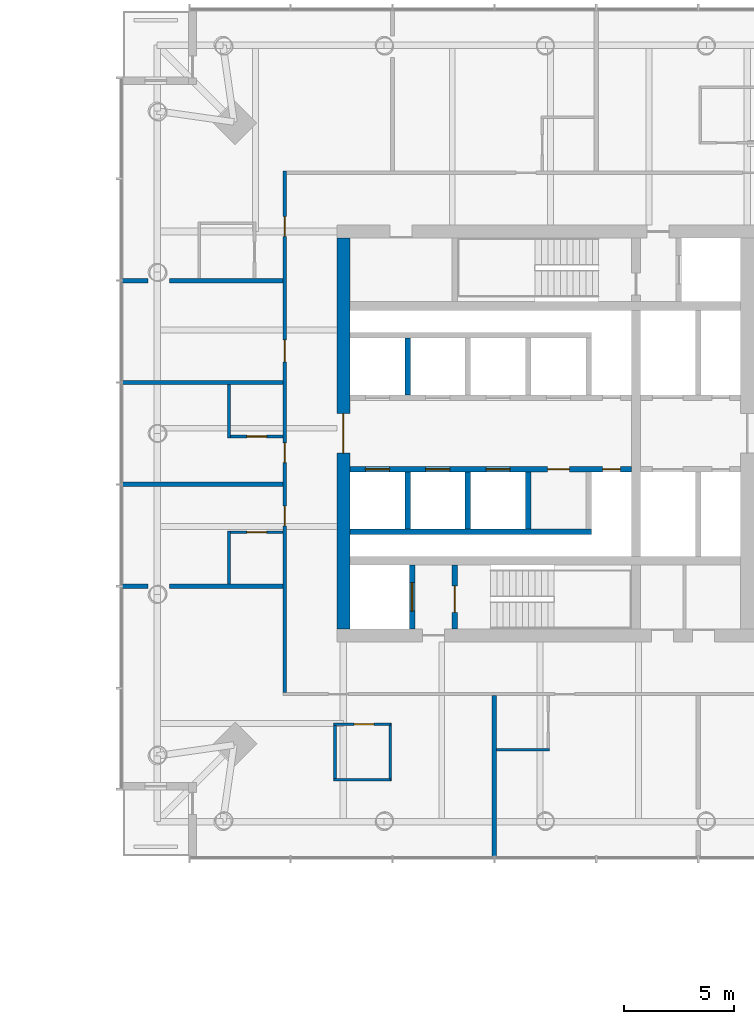
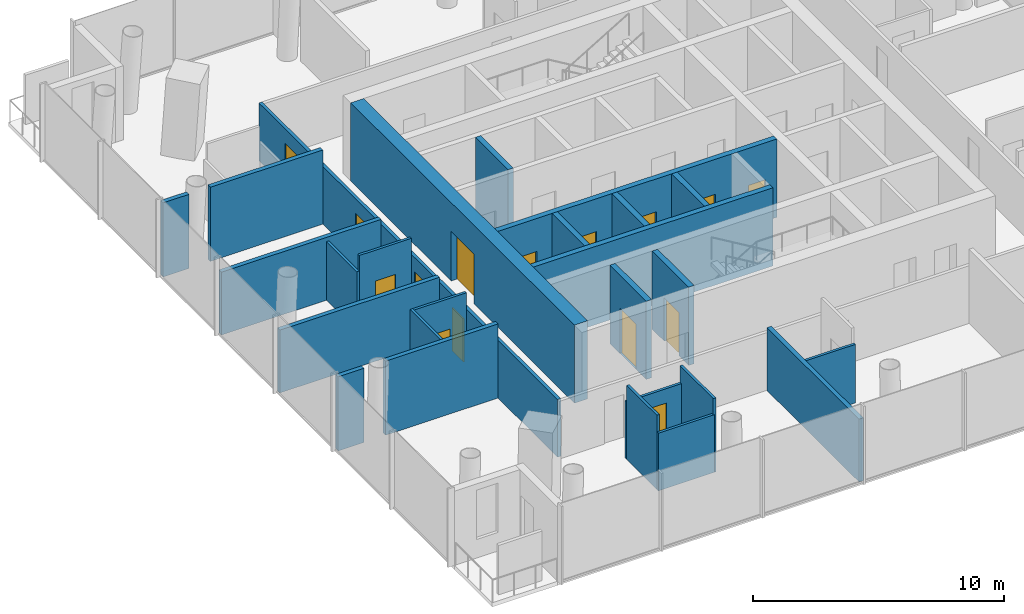
# One storey, part 13 of 26: 26 walls, 15 doors, 15 openings.
"""IFC4 building model written with IfcOpenShell, lengths in metres."""

from ifc_helpers import new_model, si_unit, direction, frame, frame_2d, origin, place, context, subcontext, project, spatial, rectangle, extrude, material, layer, layer_set, type_object, element, fill, save


model = new_model("IFC4")

# Units and contexts
model_context = context("Model", 3, precision=1e-05, world=origin(), true_north=direction((0.0, 1.0)))
body_context = subcontext(model_context, "Body", "Model", "MODEL_VIEW")
ifc_project = project(units=[si_unit("LENGTHUNIT", "METRE"), si_unit("AREAUNIT", "SQUARE_METRE"), si_unit("VOLUMEUNIT", "CUBIC_METRE"), si_unit("PLANEANGLEUNIT", "RADIAN"), si_unit("MASSUNIT", "GRAM", prefix="KILO")], contexts=[model_context])

# Site, building, storey
site_placement = place(None, origin())
site = spatial("IfcSite", under=ifc_project, at=site_placement, CompositionType="ELEMENT")
building_placement = place(site_placement, origin())
building = spatial("IfcBuilding", under=site, at=building_placement, Name="Ostroluk Exchange", CompositionType="ELEMENT")
storey_placement = place(building_placement, frame((0.0, 0.0, 51.39990234375)))
storey = spatial("IfcBuildingStorey", under=building, at=storey_placement, Name="L12", CompositionType="ELEMENT", Elevation=51.39990234375)

# Wall, opening, door
ifc_material_1 = material(Name="Concrete C40/50", Category="concrete")
ifc_layer_1 = layer(ifc_material_1, 0.25)
ifc_layer_set_1 = layer_set([ifc_layer_1], Name="Core shaft wall 250")
wall_type_1 = type_object("IfcWallType", Name="Core shaft wall 250", PredefinedType="SHEAR", material=ifc_layer_set_1)
wall_1_placement = place(storey_placement, frame((110.925048828125, 37.10009765625, 0.0), z_axis=(0.0, 0.0, 1.0), x_axis=(0.0, 1.0, 0.0)))
wall_1 = element("IfcWall", 1, at=wall_1_placement, inside=storey, type_object=wall_type_1, Name="Firefighting lift shaft wall", PredefinedType="SHEAR", context=body_context, shape_type="SweptSolid", body=[
    extrude(rectangle(XDim=2.89990234375, YDim=0.25, at=frame_2d((1.449951171875, 0.0))), origin(), (0.0, 0.0, 1.0), 3.800048828125),
])
opening_1_placement = place(wall_1_placement, frame((0.800048828125, 0.0, 0.0)))
opening_1 = element("IfcOpeningElement", 2, at=opening_1_placement, cuts=wall_1, Name="Opening LD2", PredefinedType="OPENING", context=body_context, shape_type="SweptSolid", body=[
    extrude(rectangle(XDim=1.300048828125, YDim=2.199951171875, at=frame_2d((0.64990234375, 1.10009765625))), frame((0.0, 0.135009765625, 0.0), z_axis=(0.0, -1.0, 0.0), x_axis=(1.0, 0.0, 0.0)), (0.0, 0.0, 1.0), 0.27001953125),
])
ifc_material_2 = material(Name="Stainless steel", Category="steel")
door_type_1 = type_object("IfcDoorType", Name="Lift landing door E 60 1300 x 2200", OperationType="DOUBLE_DOOR_SLIDING", PredefinedType="DOOR", material=ifc_material_2)
door_1_placement = place(opening_1_placement, origin())
door_1 = element("IfcDoor", 3, at=door_1_placement, inside=storey, type_object=door_type_1, Name="Lift HF1 landing door", OperationType="DOUBLE_DOOR_SLIDING", OverallHeight=2.199951171875, OverallWidth=1.300048828125, PredefinedType="DOOR", context=body_context, shape_type="SweptSolid", body=[
    extrude(rectangle(XDim=1.300048828125, YDim=2.199951171875, at=frame_2d((0.64990234375, 1.10009765625))), frame((0.0, 0.02490234375, 0.0), z_axis=(0.0, -1.0, 0.0), x_axis=(1.0, 0.0, 0.0)), (0.0, 0.0, 1.0), 0.050048828125),
])
fill(opening_1, door_1)

wall_2_placement = place(storey_placement, frame((112.875, 37.10009765625, 0.0), z_axis=(0.0, 0.0, 1.0), x_axis=(0.0, 1.0, 0.0)))
wall_2 = element("IfcWall", 4, at=wall_2_placement, inside=storey, type_object=wall_type_1, Name="Stair shaft wall", PredefinedType="SHEAR", context=body_context, shape_type="SweptSolid", body=[
    extrude(rectangle(XDim=2.89990234375, YDim=0.25, at=frame_2d((1.449951171875, 0.0))), origin(), (0.0, 0.0, 1.0), 3.800048828125),
])
opening_2_placement = place(wall_2_placement, frame((0.75, 0.0, 0.0)))
opening_2 = element("IfcOpeningElement", 5, at=opening_2_placement, cuts=wall_2, Name="Opening FD60S", PredefinedType="OPENING", context=body_context, shape_type="SweptSolid", body=[
    extrude(rectangle(XDim=1.199951171875, YDim=2.10009765625, at=frame_2d((0.60009765625, 1.050048828125))), frame((0.0, 0.135009765625, 0.0), z_axis=(0.0, -1.0, 0.0), x_axis=(1.0, 0.0, 0.0)), (0.0, 0.0, 1.0), 0.27001953125),
])
ifc_material_3 = material(Name="Steel", Category="steel")
door_type_2 = type_object("IfcDoorType", Name="Stair door EI 60 1200 x 2100", OperationType="SINGLE_SWING_LEFT", PredefinedType="DOOR", material=ifc_material_3)
door_2_placement = place(opening_2_placement, origin())
door_2 = element("IfcDoor", 6, at=door_2_placement, inside=storey, type_object=door_type_2, Name="Stair T2-S1 door", OperationType="SINGLE_SWING_LEFT", OverallHeight=2.10009765625, OverallWidth=1.199951171875, PredefinedType="DOOR", context=body_context, shape_type="SweptSolid", body=[
    extrude(rectangle(XDim=1.199951171875, YDim=2.10009765625, at=frame_2d((0.60009765625, 1.050048828125))), frame((0.0, 0.02490234375, 0.0), z_axis=(0.0, -1.0, 0.0), x_axis=(1.0, 0.0, 0.0)), (0.0, 0.0, 1.0), 0.050048828125),
])
fill(opening_2, door_2)

# Walls
for number, where, z_axis, x_axis, name in (
    (7, (110.72509765625, 47.75, 0.0), (0.0, 0.0, 1.0), (0.0, 1.0, 0.0), "Lift shaft wall"),
    (8, (110.72509765625, 44.25, 0.0), (0.0, 0.0, 1.0), (0.0, -1.0, 0.0), "Lift shaft wall"),
    (9, (113.47509765625, 44.25, 0.0), (0.0, 0.0, 1.0), (0.0, -1.0, 0.0), "Lift shaft wall"),
    (10, (116.22509765625, 44.25, 0.0), (0.0, 0.0, 1.0), (0.0, -1.0, 0.0), "Lift shaft wall"),
):
    element("IfcWall", number, at=place(storey_placement, frame(where, z_axis=z_axis, x_axis=x_axis)), inside=storey, type_object=wall_type_1, Name=name, PredefinedType="SHEAR", context=body_context, shape_type="SweptSolid", body=[
        extrude(rectangle(XDim=2.60009765625, YDim=0.25, at=frame_2d((1.300048828125, 0.0))), origin(), (0.0, 0.0, 1.0), 3.800048828125),
    ])
wall_3_placement = place(storey_placement, frame((108.10009765625, 41.52490234375, 0.0), z_axis=(0.0, 0.0, 1.0), x_axis=(1.0, 0.0, 0.0)))
element("IfcWall", 11, at=wall_3_placement, inside=storey, type_object=wall_type_1, Name="Lift shaft wall", PredefinedType="SHEAR", context=body_context, shape_type="SweptSolid", body=[
    extrude(rectangle(XDim=11.0, YDim=0.25, at=frame_2d((5.5, 0.0))), origin(), (0.0, 0.0, 1.0), 3.800048828125),
])

# Wall, openings, doors
wall_4_placement = place(storey_placement, frame((108.10009765625, 44.375, 0.0), z_axis=(0.0, 0.0, 1.0), x_axis=(1.0, 0.0, 0.0)))
wall_4 = element("IfcWall", 12, at=wall_4_placement, inside=storey, type_object=wall_type_1, Name="Lift shaft front wall", PredefinedType="SHEAR", context=body_context, shape_type="SweptSolid", body=[
    extrude(rectangle(XDim=12.829833984375, YDim=0.25, at=frame_2d((6.4150390625, 0.0))), origin(), (0.0, 0.0, 1.0), 3.800048828125),
])
opening_3_placement = place(wall_4_placement, frame((0.699951171875, 0.0, 0.0)))
opening_3 = element("IfcOpeningElement", 13, at=opening_3_placement, cuts=wall_4, Name="Opening LD", PredefinedType="OPENING", context=body_context, shape_type="SweptSolid", body=[
    extrude(rectangle(XDim=1.10009765625, YDim=2.199951171875, at=frame_2d((0.550048828125, 1.10009765625))), frame((0.0, 0.135009765625, 0.0), z_axis=(0.0, -1.0, 0.0), x_axis=(1.0, 0.0, 0.0)), (0.0, 0.0, 1.0), 0.27001953125),
])
opening_4_placement = place(wall_4_placement, frame((3.449951171875, 0.0, 0.0)))
opening_4 = element("IfcOpeningElement", 14, at=opening_4_placement, cuts=wall_4, Name="Opening LD", PredefinedType="OPENING", context=body_context, shape_type="SweptSolid", body=[
    extrude(rectangle(XDim=1.10009765625, YDim=2.199951171875, at=frame_2d((0.550048828125, 1.10009765625))), frame((0.0, 0.135009765625, 0.0), z_axis=(0.0, -1.0, 0.0), x_axis=(1.0, 0.0, 0.0)), (0.0, 0.0, 1.0), 0.27001953125),
])
opening_5_placement = place(wall_4_placement, frame((6.199951171875, 0.0, 0.0)))
opening_5 = element("IfcOpeningElement", 15, at=opening_5_placement, cuts=wall_4, Name="Opening LD", PredefinedType="OPENING", context=body_context, shape_type="SweptSolid", body=[
    extrude(rectangle(XDim=1.10009765625, YDim=2.199951171875, at=frame_2d((0.550048828125, 1.10009765625))), frame((0.0, 0.135009765625, 0.0), z_axis=(0.0, -1.0, 0.0), x_axis=(1.0, 0.0, 0.0)), (0.0, 0.0, 1.0), 0.27001953125),
])
opening_6_placement = place(wall_4_placement, frame((9.0, 0.0, 0.0)))
opening_6 = element("IfcOpeningElement", 16, at=opening_6_placement, cuts=wall_4, Name="Opening FD60", PredefinedType="OPENING", context=body_context, shape_type="SweptSolid", body=[
    extrude(rectangle(XDim=1.0, YDim=2.10009765625, at=frame_2d((0.5, 1.050048828125))), frame((0.0, 0.135009765625, 0.0), z_axis=(0.0, -1.0, 0.0), x_axis=(1.0, 0.0, 0.0)), (0.0, 0.0, 1.0), 0.27001953125),
])
opening_7_placement = place(wall_4_placement, frame((11.514892578125, 0.0, 0.0)))
opening_7 = element("IfcOpeningElement", 17, at=opening_7_placement, cuts=wall_4, Name="Opening RD60", PredefinedType="OPENING", context=body_context, shape_type="SweptSolid", body=[
    extrude(rectangle(XDim=0.800048828125, YDim=2.0, at=frame_2d((0.39990234375, 1.0))), frame((0.0, 0.135009765625, 0.0), z_axis=(0.0, -1.0, 0.0), x_axis=(1.0, 0.0, 0.0)), (0.0, 0.0, 1.0), 0.27001953125),
])
ifc_material_4 = material(Name="Steel", Category="steel")
door_type_3 = type_object("IfcDoorType", Name="Fire door EI 60 1000 x 2100", OperationType="SINGLE_SWING_LEFT", PredefinedType="DOOR", material=ifc_material_4)
door_3_placement = place(opening_6_placement, origin())
door_3 = element("IfcDoor", 18, at=door_3_placement, inside=storey, type_object=door_type_3, Name="Core room door", OperationType="SINGLE_SWING_RIGHT", OverallHeight=2.10009765625, OverallWidth=1.0, PredefinedType="DOOR", context=body_context, shape_type="SweptSolid", body=[
    extrude(rectangle(XDim=1.0, YDim=2.10009765625, at=frame_2d((0.5, 1.050048828125))), frame((0.0, 0.02490234375, 0.0), z_axis=(0.0, -1.0, 0.0), x_axis=(1.0, 0.0, 0.0)), (0.0, 0.0, 1.0), 0.050048828125),
])
fill(opening_6, door_3)
ifc_material_5 = material(Name="Stainless steel", Category="steel")
door_type_4 = type_object("IfcDoorType", Name="Lift landing door E 60 1100 x 2200", OperationType="DOUBLE_DOOR_SLIDING", PredefinedType="DOOR", material=ifc_material_5)
door_4_placement = place(opening_3_placement, origin())
door_4 = element("IfcDoor", 19, at=door_4_placement, inside=storey, type_object=door_type_4, Name="Lift HL5 landing door", OperationType="DOUBLE_DOOR_SLIDING", OverallHeight=2.199951171875, OverallWidth=1.10009765625, PredefinedType="DOOR", context=body_context, shape_type="SweptSolid", body=[
    extrude(rectangle(XDim=1.10009765625, YDim=2.199951171875, at=frame_2d((0.550048828125, 1.10009765625))), frame((0.0, 0.02490234375, 0.0), z_axis=(0.0, -1.0, 0.0), x_axis=(1.0, 0.0, 0.0)), (0.0, 0.0, 1.0), 0.050048828125),
])
fill(opening_3, door_4)
door_5_placement = place(opening_4_placement, origin())
door_5 = element("IfcDoor", 20, at=door_5_placement, inside=storey, type_object=door_type_4, Name="Lift HL6 landing door", OperationType="DOUBLE_DOOR_SLIDING", OverallHeight=2.199951171875, OverallWidth=1.10009765625, PredefinedType="DOOR", context=body_context, shape_type="SweptSolid", body=[
    extrude(rectangle(XDim=1.10009765625, YDim=2.199951171875, at=frame_2d((0.550048828125, 1.10009765625))), frame((0.0, 0.02490234375, 0.0), z_axis=(0.0, -1.0, 0.0), x_axis=(1.0, 0.0, 0.0)), (0.0, 0.0, 1.0), 0.050048828125),
])
fill(opening_4, door_5)
door_6_placement = place(opening_5_placement, origin())
door_6 = element("IfcDoor", 21, at=door_6_placement, inside=storey, type_object=door_type_4, Name="Lift HL7 landing door", OperationType="DOUBLE_DOOR_SLIDING", OverallHeight=2.199951171875, OverallWidth=1.10009765625, PredefinedType="DOOR", context=body_context, shape_type="SweptSolid", body=[
    extrude(rectangle(XDim=1.10009765625, YDim=2.199951171875, at=frame_2d((0.550048828125, 1.10009765625))), frame((0.0, 0.02490234375, 0.0), z_axis=(0.0, -1.0, 0.0), x_axis=(1.0, 0.0, 0.0)), (0.0, 0.0, 1.0), 0.050048828125),
])
fill(opening_5, door_6)
ifc_material_6 = material(Name="Steel", Category="steel")
door_type_5 = type_object("IfcDoorType", Name="Riser access door EI 60 800 x 2000", OperationType="SINGLE_SWING_LEFT", PredefinedType="DOOR", material=ifc_material_6)
door_7_placement = place(opening_7_placement, origin())
door_7 = element("IfcDoor", 22, at=door_7_placement, inside=storey, type_object=door_type_5, Name="Riser access door", OperationType="SINGLE_SWING_RIGHT", OverallHeight=2.0, OverallWidth=0.800048828125, PredefinedType="DOOR", context=body_context, shape_type="SweptSolid", body=[
    extrude(rectangle(XDim=0.800048828125, YDim=2.0, at=frame_2d((0.39990234375, 1.0))), frame((0.0, 0.02490234375, 0.0), z_axis=(0.0, -1.0, 0.0), x_axis=(1.0, 0.0, 0.0)), (0.0, 0.0, 1.0), 0.050048828125),
])
fill(opening_7, door_7)

# Wall, opening, door
ifc_material_7 = material(Name="Concrete C50/60", Category="concrete")
ifc_layer_2 = layer(ifc_material_7, 0.60009765625)
ifc_layer_set_2 = layer_set([ifc_layer_2], Name="Core wall 600 C50/60")
wall_type_2 = type_object("IfcWallType", Name="Core wall 600 C50/60", PredefinedType="SHEAR", material=ifc_layer_set_2)
wall_5_placement = place(storey_placement, frame((107.800048828125, 37.10009765625, 0.0), z_axis=(0.0, 0.0, 1.0), x_axis=(0.0, 1.0, 0.0)))
wall_5 = element("IfcWall", 23, at=wall_5_placement, inside=storey, type_object=wall_type_2, Name="T2 core wall W", PredefinedType="SHEAR", context=body_context, shape_type="SweptSolid", body=[
    extrude(rectangle(XDim=17.7998046875, YDim=0.60009765625, at=frame_2d((8.89990234375, 0.0))), origin(), (0.0, 0.0, 1.0), 3.800048828125),
])
opening_8_placement = place(wall_5_placement, frame((8.0, 0.0, 0.0)))
opening_8 = element("IfcOpeningElement", 24, at=opening_8_placement, cuts=wall_5, Name="Opening FD30D", PredefinedType="OPENING", context=body_context, shape_type="SweptSolid", body=[
    extrude(rectangle(XDim=1.800048828125, YDim=2.39990234375, at=frame_2d((0.89990234375, 1.199951171875))), frame((0.0, 0.31005859375, 0.0), z_axis=(0.0, -1.0, 0.0), x_axis=(1.0, 0.0, 0.0)), (0.0, 0.0, 1.0), 0.6201171875),
])
ifc_material_8 = material(Name="Timber", Category="wood")
door_type_6 = type_object("IfcDoorType", Name="Lobby double door EI 30 1800 x 2400", OperationType="DOUBLE_DOOR_SINGLE_SWING", PredefinedType="DOOR", material=ifc_material_8)
door_8_placement = place(opening_8_placement, origin())
door_8 = element("IfcDoor", 25, at=door_8_placement, inside=storey, type_object=door_type_6, Name="Lift lobby doors", OperationType="DOUBLE_DOOR_SINGLE_SWING", OverallHeight=2.39990234375, OverallWidth=1.800048828125, PredefinedType="DOOR", context=body_context, shape_type="SweptSolid", body=[
    extrude(rectangle(XDim=1.800048828125, YDim=2.39990234375, at=frame_2d((0.89990234375, 1.199951171875))), frame((0.0, 0.02490234375, 0.0), z_axis=(0.0, -1.0, 0.0), x_axis=(1.0, 0.0, 0.0)), (0.0, 0.0, 1.0), 0.050048828125),
])
fill(opening_8, door_8)

# Wall
ifc_material_9 = material(Name="Gypsum plasterboard partition, moisture resistant", Category="gypsum")
ifc_layer_3 = layer(ifc_material_9, 0.1201171875)
ifc_layer_set_3 = layer_set([ifc_layer_3], Name="Plasterboard en-suite wall 120")
wall_type_3 = type_object("IfcWallType", Name="Plasterboard en-suite wall 120", PredefinedType="PARTITIONING", material=ifc_layer_set_3)
wall_6_placement = place(storey_placement, frame((102.590087890625, 48.221435546875, 0.0), z_axis=(0.0, 0.0, 1.0), x_axis=(0.0, -1.0, 0.0)))
element("IfcWall", 26, at=wall_6_placement, inside=storey, type_object=wall_type_3, Name="En-suite wall", PredefinedType="PARTITIONING", context=body_context, shape_type="SweptSolid", body=[
    extrude(rectangle(XDim=2.419921875, YDim=0.1201171875, at=frame_2d((1.2099609375, 0.0))), origin(), (0.0, 0.0, 1.0), 2.84716796875),
])

# Wall, opening, door
wall_7_placement = place(storey_placement, frame((105.050048828125, 45.861328125, 0.0), z_axis=(0.0, 0.0, 1.0), x_axis=(-1.0, 0.0, 0.0)))
wall_7 = element("IfcWall", 27, at=wall_7_placement, inside=storey, type_object=wall_type_3, Name="En-suite wall", PredefinedType="PARTITIONING", context=body_context, shape_type="SweptSolid", body=[
    extrude(rectangle(XDim=2.400146484375, YDim=0.1201171875, at=frame_2d((1.2001953125, 0.0))), origin(), (0.0, 0.0, 1.0), 3.60009765625),
])
opening_9_placement = place(wall_7_placement, frame((0.75, 0.0, 0.0)))
opening_9 = element("IfcOpeningElement", 28, at=opening_9_placement, cuts=wall_7, Name="Opening D-02", PredefinedType="OPENING", context=body_context, shape_type="SweptSolid", body=[
    extrude(rectangle(XDim=0.89990234375, YDim=2.10009765625, at=frame_2d((0.449951171875, 1.050048828125))), frame((0.0, 0.070068359375, 0.0), z_axis=(0.0, -1.0, 0.0), x_axis=(1.0, 0.0, 0.0)), (0.0, 0.0, 1.0), 0.14013671875),
])
ifc_material_10 = material(Name="Timber", Category="wood")
door_type_7 = type_object("IfcDoorType", Name="En-suite door 900 x 2100", OperationType="SINGLE_SWING_LEFT", PredefinedType="DOOR", material=ifc_material_10)
door_9_placement = place(opening_9_placement, origin())
door_9 = element("IfcDoor", 29, at=door_9_placement, inside=storey, type_object=door_type_7, Name="En-suite door 1207", OperationType="SINGLE_SWING_RIGHT", OverallHeight=2.10009765625, OverallWidth=0.89990234375, PredefinedType="DOOR", context=body_context, shape_type="SweptSolid", body=[
    extrude(rectangle(XDim=0.89990234375, YDim=2.10009765625, at=frame_2d((0.449951171875, 1.050048828125))), frame((0.0, 0.02490234375, 0.0), z_axis=(0.0, -1.0, 0.0), x_axis=(1.0, 0.0, 0.0)), (0.0, 0.0, 1.0), 0.050048828125),
])
fill(opening_9, door_9)

# Wall
wall_8_placement = place(storey_placement, frame((102.590087890625, 41.5556640625, 0.0), z_axis=(0.0, 0.0, 1.0), x_axis=(0.0, -1.0, 0.0)))
element("IfcWall", 30, at=wall_8_placement, inside=storey, type_object=wall_type_3, Name="En-suite wall", PredefinedType="PARTITIONING", context=body_context, shape_type="SweptSolid", body=[
    extrude(rectangle(XDim=2.419921875, YDim=0.1201171875, at=frame_2d((1.2099609375, 0.0))), origin(), (0.0, 0.0, 1.0), 3.60009765625),
])

# Wall, opening, door
wall_9_placement = place(storey_placement, frame((105.050048828125, 41.49560546875, 0.0), z_axis=(0.0, 0.0, 1.0), x_axis=(-1.0, 0.0, 0.0)))
wall_9 = element("IfcWall", 31, at=wall_9_placement, inside=storey, type_object=wall_type_3, Name="En-suite wall", PredefinedType="PARTITIONING", context=body_context, shape_type="SweptSolid", body=[
    extrude(rectangle(XDim=2.400146484375, YDim=0.1201171875, at=frame_2d((1.2001953125, 0.0))), origin(), (0.0, 0.0, 1.0), 3.60009765625),
])
opening_10_placement = place(wall_9_placement, frame((0.75, 0.0, 0.0)))
opening_10 = element("IfcOpeningElement", 32, at=opening_10_placement, cuts=wall_9, Name="Opening D-02", PredefinedType="OPENING", context=body_context, shape_type="SweptSolid", body=[
    extrude(rectangle(XDim=0.89990234375, YDim=2.10009765625, at=frame_2d((0.449951171875, 1.050048828125))), frame((0.0, 0.070068359375, 0.0), z_axis=(0.0, -1.0, 0.0), x_axis=(1.0, 0.0, 0.0)), (0.0, 0.0, 1.0), 0.14013671875),
])
door_10_placement = place(opening_10_placement, origin())
door_10 = element("IfcDoor", 33, at=door_10_placement, inside=storey, type_object=door_type_7, Name="En-suite door 1208", OperationType="SINGLE_SWING_RIGHT", OverallHeight=2.10009765625, OverallWidth=0.89990234375, PredefinedType="DOOR", context=body_context, shape_type="SweptSolid", body=[
    extrude(rectangle(XDim=0.89990234375, YDim=2.10009765625, at=frame_2d((0.449951171875, 1.050048828125))), frame((0.0, 0.02490234375, 0.0), z_axis=(0.0, -1.0, 0.0), x_axis=(1.0, 0.0, 0.0)), (0.0, 0.0, 1.0), 0.050048828125),
])
fill(opening_10, door_10)

wall_10_placement = place(storey_placement, frame((109.935791015625, 32.75, 0.0), z_axis=(0.0, 0.0, 1.0), x_axis=(-1.0, 0.0, 0.0)))
wall_10 = element("IfcWall", 34, at=wall_10_placement, inside=storey, type_object=wall_type_3, Name="En-suite wall", PredefinedType="PARTITIONING", context=body_context, shape_type="SweptSolid", body=[
    extrude(rectangle(XDim=2.580078125, YDim=0.1201171875, at=frame_2d((1.2900390625, 0.0))), origin(), (0.0, 0.0, 1.0), 2.800048828125),
])
opening_11_placement = place(wall_10_placement, frame((0.75, 0.0, 0.0)))
opening_11 = element("IfcOpeningElement", 35, at=opening_11_placement, cuts=wall_10, Name="Opening D-02", PredefinedType="OPENING", context=body_context, shape_type="SweptSolid", body=[
    extrude(rectangle(XDim=0.89990234375, YDim=2.10009765625, at=frame_2d((0.449951171875, 1.050048828125))), frame((0.0, 0.070068359375, 0.0), z_axis=(0.0, -1.0, 0.0), x_axis=(1.0, 0.0, 0.0)), (0.0, 0.0, 1.0), 0.14013671875),
])
door_11_placement = place(opening_11_placement, origin())
door_11 = element("IfcDoor", 36, at=door_11_placement, inside=storey, type_object=door_type_7, Name="En-suite door 1209", OperationType="SINGLE_SWING_LEFT", OverallHeight=2.10009765625, OverallWidth=0.89990234375, PredefinedType="DOOR", context=body_context, shape_type="SweptSolid", body=[
    extrude(rectangle(XDim=0.89990234375, YDim=2.10009765625, at=frame_2d((0.449951171875, 1.050048828125))), frame((0.0, 0.02490234375, 0.0), z_axis=(0.0, -1.0, 0.0), x_axis=(1.0, 0.0, 0.0)), (0.0, 0.0, 1.0), 0.050048828125),
])
fill(opening_11, door_11)

# Walls
wall_11_placement = place(storey_placement, frame((109.935791015625, 30.22998046875, 0.0), z_axis=(0.0, 0.0, 1.0), x_axis=(-1.0, 0.0, 0.0)))
element("IfcWall", 37, at=wall_11_placement, inside=storey, type_object=wall_type_3, Name="En-suite wall", PredefinedType="PARTITIONING", context=body_context, shape_type="SweptSolid", body=[
    extrude(rectangle(XDim=2.580078125, YDim=0.1201171875, at=frame_2d((1.2900390625, 0.0))), origin(), (0.0, 0.0, 1.0), 2.800048828125),
])
wall_12_placement = place(storey_placement, frame((107.415771484375, 32.68994140625, 0.0), z_axis=(0.0, 0.0, 1.0), x_axis=(0.0, -1.0, 0.0)))
element("IfcWall", 38, at=wall_12_placement, inside=storey, type_object=wall_type_3, Name="En-suite wall", PredefinedType="PARTITIONING", context=body_context, shape_type="SweptSolid", body=[
    extrude(rectangle(XDim=2.39990234375, YDim=0.1201171875, at=frame_2d((1.199951171875, 0.0))), origin(), (0.0, 0.0, 1.0), 3.60009765625),
])
wall_13_placement = place(storey_placement, frame((109.935791015625, 32.81005859375, 0.0), z_axis=(0.0, 0.0, 1.0), x_axis=(0.0, -1.0, 0.0)))
element("IfcWall", 39, at=wall_13_placement, inside=storey, type_object=wall_type_3, Name="En-suite wall", PredefinedType="PARTITIONING", context=body_context, shape_type="SweptSolid", body=[
    extrude(rectangle(XDim=2.64013671875, YDim=0.1201171875, at=frame_2d((1.320068359375, 0.0))), origin(), (0.0, 0.0, 1.0), 3.60009765625),
])
wall_14_placement = place(storey_placement, frame((114.778564453125, 31.590087890625, 0.0), z_axis=(0.0, 0.0, 1.0), x_axis=(1.0, 0.0, 0.0)))
element("IfcWall", 40, at=wall_14_placement, inside=storey, type_object=wall_type_3, Name="En-suite wall", PredefinedType="PARTITIONING", context=body_context, shape_type="SweptSolid", body=[
    extrude(rectangle(XDim=2.419921875, YDim=0.1201171875, at=frame_2d((1.2099609375, 0.0))), origin(), (0.0, 0.0, 1.0), 2.84716796875),
])

# Wall, openings, doors
ifc_material_11 = material(Name="Gypsum plasterboard partition", Category="gypsum")
ifc_layer_4 = layer(ifc_material_11, 0.14990234375)
ifc_layer_set_4 = layer_set([ifc_layer_4], Name="Plasterboard partition 150")
wall_type_4 = type_object("IfcWallType", Name="Plasterboard partition 150", PredefinedType="PARTITIONING", material=ifc_layer_set_4)
wall_15_placement = place(storey_placement, frame((105.125, 57.949951171875, 0.0), z_axis=(0.0, 0.0, 1.0), x_axis=(0.0, -1.0, 0.0)))
wall_15 = element("IfcWall", 41, at=wall_15_placement, inside=storey, type_object=wall_type_4, Name="Corridor wall", PredefinedType="PARTITIONING", context=body_context, shape_type="SweptSolid", body=[
    extrude(rectangle(XDim=23.75, YDim=0.14990234375, at=frame_2d((11.875, 0.0))), origin(), (0.0, 0.0, 1.0), 2.800048828125),
])
opening_12_placement = place(wall_15_placement, frame((2.06787109375, 0.0, 0.0)))
opening_12 = element("IfcOpeningElement", 42, at=opening_12_placement, cuts=wall_15, Name="Opening D-01", PredefinedType="OPENING", context=body_context, shape_type="SweptSolid", body=[
    extrude(rectangle(XDim=0.89990234375, YDim=2.10009765625, at=frame_2d((0.449951171875, 1.050048828125))), frame((0.0, 0.0849609375, 0.0), z_axis=(0.0, -1.0, 0.0), x_axis=(1.0, 0.0, 0.0)), (0.0, 0.0, 1.0), 0.169921875),
])
opening_13_placement = place(wall_15_placement, frame((7.685791015625, 0.0, 0.0)))
opening_13 = element("IfcOpeningElement", 43, at=opening_13_placement, cuts=wall_15, Name="Opening D-03", PredefinedType="OPENING", context=body_context, shape_type="SweptSolid", body=[
    extrude(rectangle(XDim=1.0, YDim=2.10009765625, at=frame_2d((0.5, 1.050048828125))), frame((0.0, 0.0849609375, 0.0), z_axis=(0.0, -1.0, 0.0), x_axis=(1.0, 0.0, 0.0)), (0.0, 0.0, 1.0), 0.169921875),
])
opening_14_placement = place(wall_15_placement, frame((12.378662109375, 0.0, 0.0)))
opening_14 = element("IfcOpeningElement", 44, at=opening_14_placement, cuts=wall_15, Name="Opening D-01", PredefinedType="OPENING", context=body_context, shape_type="SweptSolid", body=[
    extrude(rectangle(XDim=0.89990234375, YDim=2.10009765625, at=frame_2d((0.449951171875, 1.050048828125))), frame((0.0, 0.0849609375, 0.0), z_axis=(0.0, -1.0, 0.0), x_axis=(1.0, 0.0, 0.0)), (0.0, 0.0, 1.0), 0.169921875),
])
opening_15_placement = place(wall_15_placement, frame((15.264404296875, 0.0, 0.0)))
opening_15 = element("IfcOpeningElement", 45, at=opening_15_placement, cuts=wall_15, Name="Opening D-01", PredefinedType="OPENING", context=body_context, shape_type="SweptSolid", body=[
    extrude(rectangle(XDim=0.89990234375, YDim=2.10009765625, at=frame_2d((0.449951171875, 1.050048828125))), frame((0.0, 0.0849609375, 0.0), z_axis=(0.0, -1.0, 0.0), x_axis=(1.0, 0.0, 0.0)), (0.0, 0.0, 1.0), 0.169921875),
])
ifc_material_12 = material(Name="Timber", Category="wood")
door_type_8 = type_object("IfcDoorType", Name="Hotel room door EI 30 Sa 900 x 2100", OperationType="SINGLE_SWING_LEFT", PredefinedType="DOOR", material=ifc_material_12)
door_12_placement = place(opening_12_placement, origin())
door_12 = element("IfcDoor", 46, at=door_12_placement, inside=storey, type_object=door_type_8, Name="Room door 1206", OperationType="SINGLE_SWING_LEFT", OverallHeight=2.10009765625, OverallWidth=0.89990234375, PredefinedType="DOOR", context=body_context, shape_type="SweptSolid", body=[
    extrude(rectangle(XDim=0.89990234375, YDim=2.10009765625, at=frame_2d((0.449951171875, 1.050048828125))), frame((0.0, 0.02490234375, 0.0), z_axis=(0.0, -1.0, 0.0), x_axis=(1.0, 0.0, 0.0)), (0.0, 0.0, 1.0), 0.050048828125),
])
fill(opening_12, door_12)
door_13_placement = place(opening_14_placement, origin())
door_13 = element("IfcDoor", 47, at=door_13_placement, inside=storey, type_object=door_type_8, Name="Room door 1207", OperationType="SINGLE_SWING_RIGHT", OverallHeight=2.10009765625, OverallWidth=0.89990234375, PredefinedType="DOOR", context=body_context, shape_type="SweptSolid", body=[
    extrude(rectangle(XDim=0.89990234375, YDim=2.10009765625, at=frame_2d((0.449951171875, 1.050048828125))), frame((0.0, 0.02490234375, 0.0), z_axis=(0.0, -1.0, 0.0), x_axis=(1.0, 0.0, 0.0)), (0.0, 0.0, 1.0), 0.050048828125),
])
fill(opening_14, door_13)
door_14_placement = place(opening_15_placement, origin())
door_14 = element("IfcDoor", 48, at=door_14_placement, inside=storey, type_object=door_type_8, Name="Room door 1208", OperationType="SINGLE_SWING_RIGHT", OverallHeight=2.10009765625, OverallWidth=0.89990234375, PredefinedType="DOOR", context=body_context, shape_type="SweptSolid", body=[
    extrude(rectangle(XDim=0.89990234375, YDim=2.10009765625, at=frame_2d((0.449951171875, 1.050048828125))), frame((0.0, 0.02490234375, 0.0), z_axis=(0.0, -1.0, 0.0), x_axis=(1.0, 0.0, 0.0)), (0.0, 0.0, 1.0), 0.050048828125),
])
fill(opening_15, door_14)
ifc_material_13 = material(Name="Timber", Category="wood")
door_type_9 = type_object("IfcDoorType", Name="Internal door 1000 x 2100", OperationType="SINGLE_SWING_LEFT", PredefinedType="DOOR", material=ifc_material_13)
door_15_placement = place(opening_13_placement, origin())
door_15 = element("IfcDoor", 49, at=door_15_placement, inside=storey, type_object=door_type_9, Name="Housekeeping store door", OperationType="SINGLE_SWING_LEFT", OverallHeight=2.10009765625, OverallWidth=1.0, PredefinedType="DOOR", context=body_context, shape_type="SweptSolid", body=[
    extrude(rectangle(XDim=1.0, YDim=2.10009765625, at=frame_2d((0.5, 1.050048828125))), frame((0.0, 0.02490234375, 0.0), z_axis=(0.0, -1.0, 0.0), x_axis=(1.0, 0.0, 0.0)), (0.0, 0.0, 1.0), 0.050048828125),
])
fill(opening_13, door_15)

# Walls
ifc_material_14 = material(Name="Gypsum plasterboard partition", Category="gypsum")
ifc_layer_5 = layer(ifc_material_14, 0.199951171875)
ifc_layer_set_5 = layer_set([ifc_layer_5], Name="Plasterboard party wall 200")
wall_type_5 = type_object("IfcWallType", Name="Plasterboard party wall 200", PredefinedType="PARTITIONING", material=ifc_layer_set_5)
wall_16_placement = place(storey_placement, frame((105.050048828125, 52.96435546875, 0.0), z_axis=(0.0, 0.0, 1.0), x_axis=(-1.0, 0.0, 0.0)))
element("IfcWall", 50, at=wall_16_placement, inside=storey, type_object=wall_type_5, Name="Party wall", PredefinedType="PARTITIONING", context=body_context, shape_type="SweptSolid", body=[
    extrude(rectangle(XDim=5.16943359375, YDim=0.199951171875, at=frame_2d((2.584716796875, 0.0))), origin(), (0.0, 0.0, 1.0), 3.60009765625),
])
wall_17_placement = place(storey_placement, frame((98.90380859375, 52.96435546875, 0.0), z_axis=(0.0, 0.0, 1.0), x_axis=(-1.0, 0.0, 0.0)))
element("IfcWall", 51, at=wall_17_placement, inside=storey, type_object=wall_type_5, Name="Party wall", PredefinedType="PARTITIONING", context=body_context, shape_type="SweptSolid", body=[
    extrude(rectangle(XDim=1.19384765625, YDim=0.199951171875, at=frame_2d((0.596923828125, 0.0))), origin(), (0.0, 0.0, 1.0), 3.60009765625),
])
for number, where, z_axis, x_axis, name in (
    (52, (105.050048828125, 48.321533203125, 0.0), (0.0, 0.0, 1.0), (-1.0, 0.0, 0.0), "Party wall"),
    (53, (105.050048828125, 43.678466796875, 0.0), (0.0, 0.0, 1.0), (-1.0, 0.0, 0.0), "Party wall"),
):
    element("IfcWall", number, at=place(storey_placement, frame(where, z_axis=z_axis, x_axis=x_axis)), inside=storey, type_object=wall_type_5, Name=name, PredefinedType="PARTITIONING", context=body_context, shape_type="SweptSolid", body=[
        extrude(rectangle(XDim=7.340087890625, YDim=0.199951171875, at=frame_2d((3.669921875, 0.0))), origin(), (0.0, 0.0, 1.0), 3.050048828125),
    ])
wall_18_placement = place(storey_placement, frame((105.050048828125, 39.03564453125, 0.0), z_axis=(0.0, 0.0, 1.0), x_axis=(-1.0, 0.0, 0.0)))
element("IfcWall", 54, at=wall_18_placement, inside=storey, type_object=wall_type_5, Name="Party wall", PredefinedType="PARTITIONING", context=body_context, shape_type="SweptSolid", body=[
    extrude(rectangle(XDim=5.16943359375, YDim=0.199951171875, at=frame_2d((2.584716796875, 0.0))), origin(), (0.0, 0.0, 1.0), 3.60009765625),
])
wall_19_placement = place(storey_placement, frame((98.90380859375, 39.03564453125, 0.0), z_axis=(0.0, 0.0, 1.0), x_axis=(-1.0, 0.0, 0.0)))
element("IfcWall", 55, at=wall_19_placement, inside=storey, type_object=wall_type_5, Name="Party wall", PredefinedType="PARTITIONING", context=body_context, shape_type="SweptSolid", body=[
    extrude(rectangle(XDim=1.19384765625, YDim=0.199951171875, at=frame_2d((0.596923828125, 0.0))), origin(), (0.0, 0.0, 1.0), 3.60009765625),
])
wall_20_placement = place(storey_placement, frame((114.678466796875, 34.050048828125, 0.0), z_axis=(0.0, 0.0, 1.0), x_axis=(0.0, -1.0, 0.0)))
element("IfcWall", 56, at=wall_20_placement, inside=storey, type_object=wall_type_5, Name="Party wall", PredefinedType="PARTITIONING", context=body_context, shape_type="SweptSolid", body=[
    extrude(rectangle(XDim=7.340087890625, YDim=0.199951171875, at=frame_2d((3.669921875, 0.0))), origin(), (0.0, 0.0, 1.0), 3.050048828125),
])

save(model, "model.ifc")
